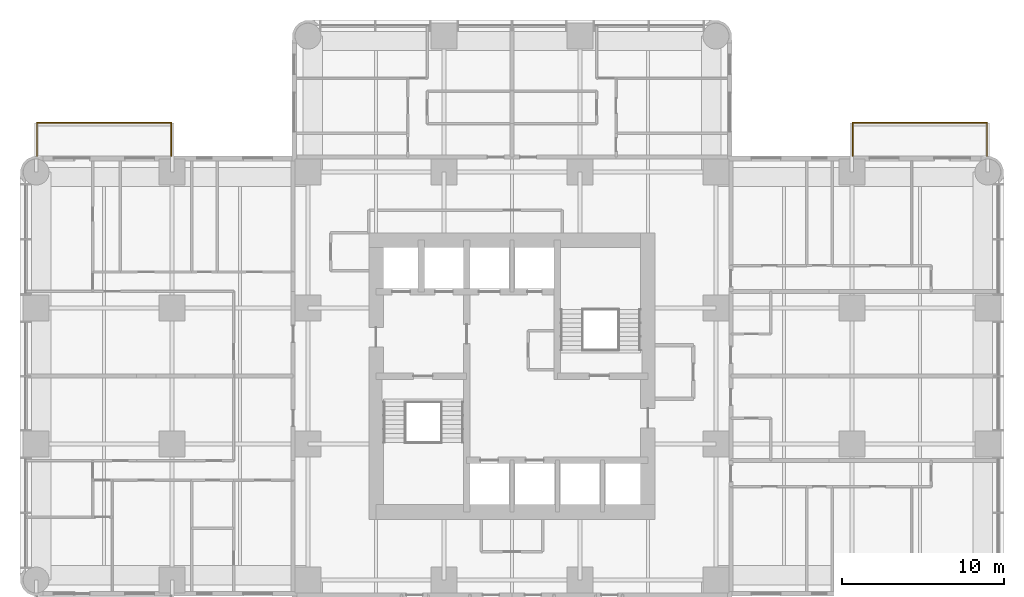
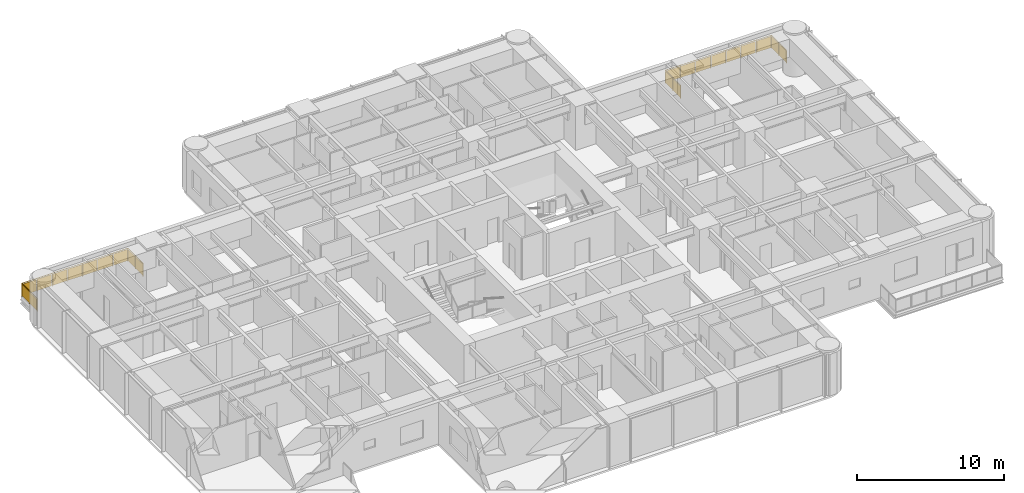
# One storey, part 14 of 14: 2 railings.
"""IFC4 building model written with IfcOpenShell, lengths in metres."""

from ifc_helpers import new_model, si_unit, direction, frame, origin, origin_2d, place, context, subcontext, project, spatial, polyline, circle, outline, extrude, material, constituent, constituent_set, type_object, element, save


model = new_model("IFC4")

# Units and contexts
model_context = context("Model", 3, precision=1e-05, world=origin(), true_north=direction((0.0, 1.0)))
body_context = subcontext(model_context, "Body", "Model", "MODEL_VIEW")
ifc_project = project(units=[si_unit("LENGTHUNIT", "METRE"), si_unit("AREAUNIT", "SQUARE_METRE"), si_unit("VOLUMEUNIT", "CUBIC_METRE"), si_unit("PLANEANGLEUNIT", "RADIAN"), si_unit("MASSUNIT", "GRAM", prefix="KILO")], contexts=[model_context])

# Site, building, storey
site_placement = place(None, origin())
site = spatial("IfcSite", under=ifc_project, at=site_placement, CompositionType="ELEMENT")
building_placement = place(site_placement, origin())
building = spatial("IfcBuilding", under=site, at=building_placement, Name="Torre Alcanfor", CompositionType="ELEMENT")
storey_placement = place(building_placement, frame((0.0, 0.0, 155.699951171875)))
storey = spatial("IfcBuildingStorey", under=building, at=storey_placement, Name="L40", CompositionType="ELEMENT", Elevation=155.699951171875)

# Railings
ifc_material_1 = material(Name="Laminated safety glass", Category="glass")
ifc_constituent_1 = constituent(ifc_material_1, Name="Infill")
ifc_material_2 = material(Name="Stainless steel ASTM A554 Grade MT 316L tube", Category="steel")
ifc_constituent_2 = constituent(ifc_material_2, Name="Posts and rail")
ifc_constituent_set = constituent_set(constituents=[ifc_constituent_1, ifc_constituent_2], Name="Balcony guard glass 1100")
railing_type = type_object("IfcRailingType", Name="Balcony guard glass 1100", PredefinedType="BALUSTRADE", material=ifc_constituent_set)
railing_1_placement = place(storey_placement, frame((50.449951171875, 43.0, 0.0)))
element("IfcRailing", 1, at=railing_1_placement, inside=storey, type_object=railing_type, Name="Balcony guard L40-E1", PredefinedType="BALUSTRADE", context=body_context, shape_type="SweptSolid", body=[
    extrude(circle(Radius=0.02392578125, at=origin_2d()), frame((0.0, 0.0, 1.076171875), z_axis=(0.0, 1.0, 0.0), x_axis=(-1.0, 0.0, 0.0)), (0.0, 0.0, 1.0), 2.050048828125),
    extrude(circle(Radius=0.02392578125, at=origin_2d()), frame((0.0, 2.050048828125, 1.076171875), z_axis=(1.0, 0.0, 0.0), x_axis=(0.0, 1.0, 0.0)), (0.0, 0.0, 1.0), 8.300048828125),
    extrude(circle(Radius=0.02392578125, at=origin_2d()), frame((8.300048828125, 2.050048828125, 1.076171875), z_axis=(0.0, -1.0, 0.0), x_axis=(1.0, 0.0, 0.0)), (0.0, 0.0, 1.0), 2.050048828125),
    extrude(circle(Radius=0.02099609375, at=origin_2d()), origin(), (0.0, 0.0, 1.0), 1.052001953125),
    extrude(circle(Radius=0.02099609375, at=origin_2d()), frame((0.0, 1.02490234375, 0.0)), (0.0, 0.0, 1.0), 1.052001953125),
    extrude(circle(Radius=0.02099609375, at=origin_2d()), frame((0.0, 2.050048828125, 0.0)), (0.0, 0.0, 1.0), 1.052001953125),
    extrude(circle(Radius=0.02099609375, at=origin_2d()), frame((1.185791015625, 2.050048828125, 0.0)), (0.0, 0.0, 1.0), 1.052001953125),
    extrude(circle(Radius=0.02099609375, at=origin_2d()), frame((2.371337890625, 2.050048828125, 0.0)), (0.0, 0.0, 1.0), 1.052001953125),
    extrude(circle(Radius=0.02099609375, at=origin_2d()), frame((3.55712890625, 2.050048828125, 0.0)), (0.0, 0.0, 1.0), 1.052001953125),
    extrude(circle(Radius=0.02099609375, at=origin_2d()), frame((4.742919921875, 2.050048828125, 0.0)), (0.0, 0.0, 1.0), 1.052001953125),
    extrude(circle(Radius=0.02099609375, at=origin_2d()), frame((5.9287109375, 2.050048828125, 0.0)), (0.0, 0.0, 1.0), 1.052001953125),
    extrude(circle(Radius=0.02099609375, at=origin_2d()), frame((7.1142578125, 2.050048828125, 0.0)), (0.0, 0.0, 1.0), 1.052001953125),
    extrude(circle(Radius=0.02099609375, at=origin_2d()), frame((8.300048828125, 2.050048828125, 0.0)), (0.0, 0.0, 1.0), 1.052001953125),
    extrude(circle(Radius=0.02099609375, at=origin_2d()), frame((8.300048828125, 1.02490234375, 0.0)), (0.0, 0.0, 1.0), 1.052001953125),
    extrude(circle(Radius=0.02099609375, at=origin_2d()), frame((8.300048828125, 0.0, 0.0)), (0.0, 0.0, 1.0), 1.052001953125),
    extrude(outline(polyline([(0.041015625, 0.050048828125), (0.984130859375, 0.050048828125), (0.984130859375, 1.001953125), (0.041015625, 1.001953125), (0.041015625, 0.050048828125)])), frame((-0.005859375, 0.0, 0.0), z_axis=(1.0, 0.0, 0.0), x_axis=(0.0, 1.0, 0.0)), (0.0, 0.0, 1.0), 0.011962890625),
    extrude(outline(polyline([(1.06591796875, 0.050048828125), (2.009033203125, 0.050048828125), (2.009033203125, 1.001953125), (1.06591796875, 1.001953125), (1.06591796875, 0.050048828125)])), frame((-0.005859375, 0.0, 0.0), z_axis=(1.0, 0.0, 0.0), x_axis=(0.0, 1.0, 0.0)), (0.0, 0.0, 1.0), 0.011962890625),
    extrude(outline(polyline([(0.041015625, 0.050048828125), (1.144775390625, 0.050048828125), (1.144775390625, 1.001953125), (0.041015625, 1.001953125), (0.041015625, 0.050048828125)])), frame((0.0, 2.05615234375, 0.0), z_axis=(0.0, -1.0, 0.0), x_axis=(1.0, 0.0, 0.0)), (0.0, 0.0, 1.0), 0.011962890625),
    extrude(outline(polyline([(1.226806640625, 0.050048828125), (2.330322265625, 0.050048828125), (2.330322265625, 1.001953125), (1.226806640625, 1.001953125), (1.226806640625, 0.050048828125)])), frame((0.0, 2.05615234375, 0.0), z_axis=(0.0, -1.0, 0.0), x_axis=(1.0, 0.0, 0.0)), (0.0, 0.0, 1.0), 0.011962890625),
    extrude(outline(polyline([(2.412353515625, 0.050048828125), (3.51611328125, 0.050048828125), (3.51611328125, 1.001953125), (2.412353515625, 1.001953125), (2.412353515625, 0.050048828125)])), frame((0.0, 2.05615234375, 0.0), z_axis=(0.0, -1.0, 0.0), x_axis=(1.0, 0.0, 0.0)), (0.0, 0.0, 1.0), 0.011962890625),
    extrude(outline(polyline([(3.59814453125, 0.050048828125), (4.701904296875, 0.050048828125), (4.701904296875, 1.001953125), (3.59814453125, 1.001953125), (3.59814453125, 0.050048828125)])), frame((0.0, 2.05615234375, 0.0), z_axis=(0.0, -1.0, 0.0), x_axis=(1.0, 0.0, 0.0)), (0.0, 0.0, 1.0), 0.011962890625),
    extrude(outline(polyline([(4.783935546875, 0.050048828125), (5.8876953125, 0.050048828125), (5.8876953125, 1.001953125), (4.783935546875, 1.001953125), (4.783935546875, 0.050048828125)])), frame((0.0, 2.05615234375, 0.0), z_axis=(0.0, -1.0, 0.0), x_axis=(1.0, 0.0, 0.0)), (0.0, 0.0, 1.0), 0.011962890625),
    extrude(outline(polyline([(5.9697265625, 0.050048828125), (7.0732421875, 0.050048828125), (7.0732421875, 1.001953125), (5.9697265625, 1.001953125), (5.9697265625, 0.050048828125)])), frame((0.0, 2.05615234375, 0.0), z_axis=(0.0, -1.0, 0.0), x_axis=(1.0, 0.0, 0.0)), (0.0, 0.0, 1.0), 0.011962890625),
    extrude(outline(polyline([(7.1552734375, 0.050048828125), (8.259033203125, 0.050048828125), (8.259033203125, 1.001953125), (7.1552734375, 1.001953125), (7.1552734375, 0.050048828125)])), frame((0.0, 2.05615234375, 0.0), z_axis=(0.0, -1.0, 0.0), x_axis=(1.0, 0.0, 0.0)), (0.0, 0.0, 1.0), 0.011962890625),
    extrude(outline(polyline([(0.041015625, 0.050048828125), (0.984130859375, 0.050048828125), (0.984130859375, 1.001953125), (0.041015625, 1.001953125), (0.041015625, 0.050048828125)])), frame((8.30615234375, 2.050048828125, 0.0), z_axis=(-1.0, 0.0, 0.0), x_axis=(0.0, -1.0, 0.0)), (0.0, 0.0, 1.0), 0.011962890625),
    extrude(outline(polyline([(1.06591796875, 0.050048828125), (2.009033203125, 0.050048828125), (2.009033203125, 1.001953125), (1.06591796875, 1.001953125), (1.06591796875, 0.050048828125)])), frame((8.30615234375, 2.050048828125, 0.0), z_axis=(-1.0, 0.0, 0.0), x_axis=(0.0, -1.0, 0.0)), (0.0, 0.0, 1.0), 0.011962890625),
])
railing_2_placement = place(storey_placement, frame((8.35009765625, 43.0, 0.0)))
element("IfcRailing", 2, at=railing_2_placement, inside=storey, type_object=railing_type, Name="Balcony guard L40-W2", PredefinedType="BALUSTRADE", context=body_context, shape_type="SweptSolid", body=[
    extrude(circle(Radius=0.02392578125, at=origin_2d()), frame((0.0, 0.0, 1.076171875), z_axis=(0.0, 1.0, 0.0), x_axis=(-1.0, 0.0, 0.0)), (0.0, 0.0, 1.0), 2.050048828125),
    extrude(circle(Radius=0.02392578125, at=origin_2d()), frame((0.0, 2.050048828125, 1.076171875), z_axis=(-1.0, 0.0, 0.0), x_axis=(0.0, -1.0, 0.0)), (0.0, 0.0, 1.0), 8.300048828125),
    extrude(circle(Radius=0.02392578125, at=origin_2d()), frame((-8.300048828125, 2.050048828125, 1.076171875), z_axis=(0.0, -1.0, 0.0), x_axis=(1.0, 0.0, 0.0)), (0.0, 0.0, 1.0), 2.050048828125),
    extrude(circle(Radius=0.02099609375, at=origin_2d()), origin(), (0.0, 0.0, 1.0), 1.052001953125),
    extrude(circle(Radius=0.02099609375, at=origin_2d()), frame((0.0, 1.02490234375, 0.0)), (0.0, 0.0, 1.0), 1.052001953125),
    extrude(circle(Radius=0.02099609375, at=origin_2d()), frame((0.0, 2.050048828125, 0.0)), (0.0, 0.0, 1.0), 1.052001953125),
    extrude(circle(Radius=0.02099609375, at=origin_2d()), frame((-1.185791015625, 2.050048828125, 0.0)), (0.0, 0.0, 1.0), 1.052001953125),
    extrude(circle(Radius=0.02099609375, at=origin_2d()), frame((-2.371337890625, 2.050048828125, 0.0)), (0.0, 0.0, 1.0), 1.052001953125),
    extrude(circle(Radius=0.02099609375, at=origin_2d()), frame((-3.55712890625, 2.050048828125, 0.0)), (0.0, 0.0, 1.0), 1.052001953125),
    extrude(circle(Radius=0.02099609375, at=origin_2d()), frame((-4.742919921875, 2.050048828125, 0.0)), (0.0, 0.0, 1.0), 1.052001953125),
    extrude(circle(Radius=0.02099609375, at=origin_2d()), frame((-5.9287109375, 2.050048828125, 0.0)), (0.0, 0.0, 1.0), 1.052001953125),
    extrude(circle(Radius=0.02099609375, at=origin_2d()), frame((-7.1142578125, 2.050048828125, 0.0)), (0.0, 0.0, 1.0), 1.052001953125),
    extrude(circle(Radius=0.02099609375, at=origin_2d()), frame((-8.300048828125, 2.050048828125, 0.0)), (0.0, 0.0, 1.0), 1.052001953125),
    extrude(circle(Radius=0.02099609375, at=origin_2d()), frame((-8.300048828125, 1.02490234375, 0.0)), (0.0, 0.0, 1.0), 1.052001953125),
    extrude(circle(Radius=0.02099609375, at=origin_2d()), frame((-8.300048828125, 0.0, 0.0)), (0.0, 0.0, 1.0), 1.052001953125),
    extrude(outline(polyline([(0.041015625, 0.050048828125), (0.984130859375, 0.050048828125), (0.984130859375, 1.001953125), (0.041015625, 1.001953125), (0.041015625, 0.050048828125)])), frame((-0.005859375, 0.0, 0.0), z_axis=(1.0, 0.0, 0.0), x_axis=(0.0, 1.0, 0.0)), (0.0, 0.0, 1.0), 0.011962890625),
    extrude(outline(polyline([(1.06591796875, 0.050048828125), (2.009033203125, 0.050048828125), (2.009033203125, 1.001953125), (1.06591796875, 1.001953125), (1.06591796875, 0.050048828125)])), frame((-0.005859375, 0.0, 0.0), z_axis=(1.0, 0.0, 0.0), x_axis=(0.0, 1.0, 0.0)), (0.0, 0.0, 1.0), 0.011962890625),
    extrude(outline(polyline([(0.041015625, 0.050048828125), (1.144775390625, 0.050048828125), (1.144775390625, 1.001953125), (0.041015625, 1.001953125), (0.041015625, 0.050048828125)])), frame((0.0, 2.0439453125, 0.0), z_axis=(0.0, 1.0, 0.0), x_axis=(-1.0, 0.0, 0.0)), (0.0, 0.0, 1.0), 0.011962890625),
    extrude(outline(polyline([(1.226806640625, 0.050048828125), (2.330322265625, 0.050048828125), (2.330322265625, 1.001953125), (1.226806640625, 1.001953125), (1.226806640625, 0.050048828125)])), frame((0.0, 2.0439453125, 0.0), z_axis=(0.0, 1.0, 0.0), x_axis=(-1.0, 0.0, 0.0)), (0.0, 0.0, 1.0), 0.011962890625),
    extrude(outline(polyline([(2.412353515625, 0.050048828125), (3.51611328125, 0.050048828125), (3.51611328125, 1.001953125), (2.412353515625, 1.001953125), (2.412353515625, 0.050048828125)])), frame((0.0, 2.0439453125, 0.0), z_axis=(0.0, 1.0, 0.0), x_axis=(-1.0, 0.0, 0.0)), (0.0, 0.0, 1.0), 0.011962890625),
    extrude(outline(polyline([(3.59814453125, 0.050048828125), (4.701904296875, 0.050048828125), (4.701904296875, 1.001953125), (3.59814453125, 1.001953125), (3.59814453125, 0.050048828125)])), frame((0.0, 2.0439453125, 0.0), z_axis=(0.0, 1.0, 0.0), x_axis=(-1.0, 0.0, 0.0)), (0.0, 0.0, 1.0), 0.011962890625),
    extrude(outline(polyline([(4.783935546875, 0.050048828125), (5.8876953125, 0.050048828125), (5.8876953125, 1.001953125), (4.783935546875, 1.001953125), (4.783935546875, 0.050048828125)])), frame((0.0, 2.0439453125, 0.0), z_axis=(0.0, 1.0, 0.0), x_axis=(-1.0, 0.0, 0.0)), (0.0, 0.0, 1.0), 0.011962890625),
    extrude(outline(polyline([(5.9697265625, 0.050048828125), (7.0732421875, 0.050048828125), (7.0732421875, 1.001953125), (5.9697265625, 1.001953125), (5.9697265625, 0.050048828125)])), frame((0.0, 2.0439453125, 0.0), z_axis=(0.0, 1.0, 0.0), x_axis=(-1.0, 0.0, 0.0)), (0.0, 0.0, 1.0), 0.011962890625),
    extrude(outline(polyline([(7.1552734375, 0.050048828125), (8.259033203125, 0.050048828125), (8.259033203125, 1.001953125), (7.1552734375, 1.001953125), (7.1552734375, 0.050048828125)])), frame((0.0, 2.0439453125, 0.0), z_axis=(0.0, 1.0, 0.0), x_axis=(-1.0, 0.0, 0.0)), (0.0, 0.0, 1.0), 0.011962890625),
    extrude(outline(polyline([(0.041015625, 0.050048828125), (0.984130859375, 0.050048828125), (0.984130859375, 1.001953125), (0.041015625, 1.001953125), (0.041015625, 0.050048828125)])), frame((-8.2939453125, 2.050048828125, 0.0), z_axis=(-1.0, 0.0, 0.0), x_axis=(0.0, -1.0, 0.0)), (0.0, 0.0, 1.0), 0.011962890625),
    extrude(outline(polyline([(1.06591796875, 0.050048828125), (2.009033203125, 0.050048828125), (2.009033203125, 1.001953125), (1.06591796875, 1.001953125), (1.06591796875, 0.050048828125)])), frame((-8.2939453125, 2.050048828125, 0.0), z_axis=(-1.0, 0.0, 0.0), x_axis=(0.0, -1.0, 0.0)), (0.0, 0.0, 1.0), 0.011962890625),
])

save(model, "model.ifc")
